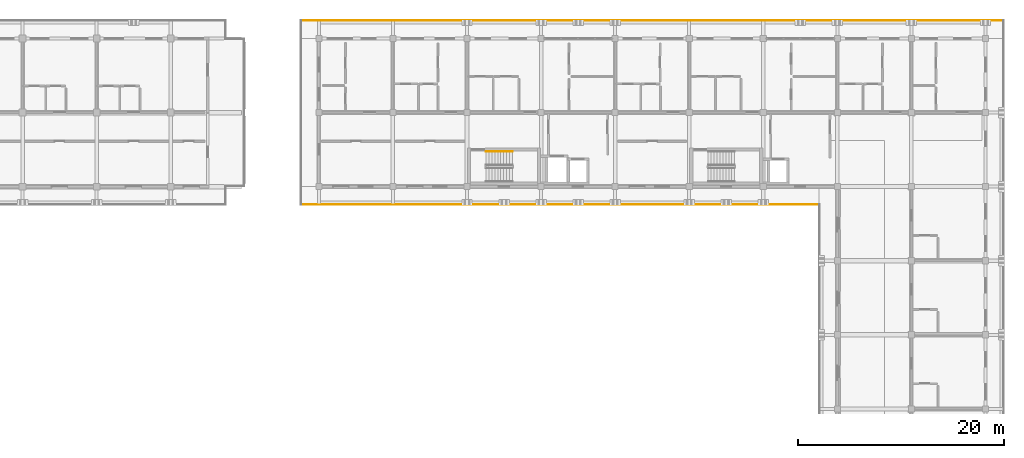
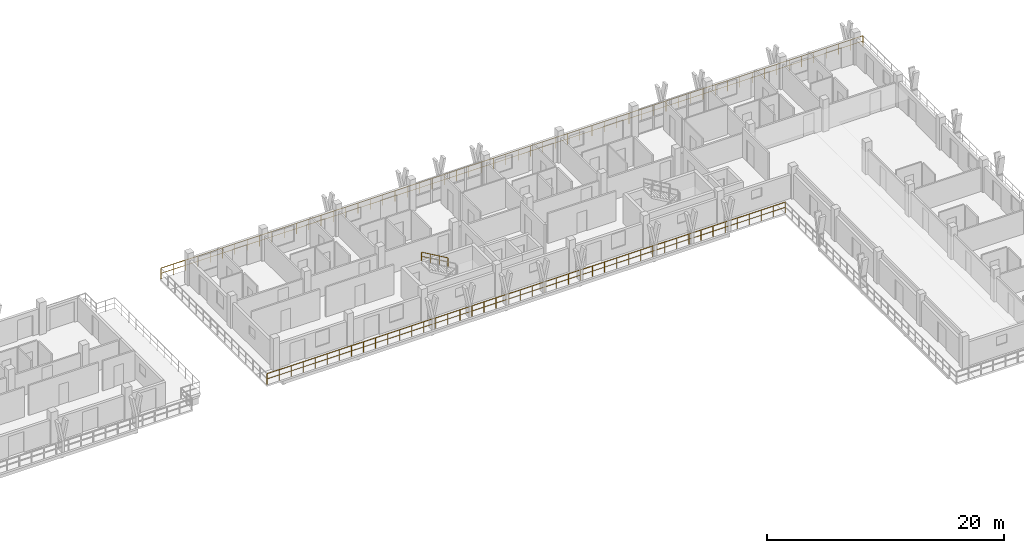
# One storey, part 74 of 75: 3 railings.
"""IFC4 building model written with IfcOpenShell, lengths in metres."""

from ifc_helpers import new_model, si_unit, direction, frame, origin, origin_2d, place, context, subcontext, project, spatial, rectangle, extrude, material, type_object, element, save


model = new_model("IFC4")

# Units and contexts
model_context = context("Model", 3, precision=1e-05, world=origin(), true_north=direction((0.0, 1.0)))
body_context = subcontext(model_context, "Body", "Model", "MODEL_VIEW")
ifc_project = project(units=[si_unit("LENGTHUNIT", "METRE"), si_unit("AREAUNIT", "SQUARE_METRE"), si_unit("VOLUMEUNIT", "CUBIC_METRE"), si_unit("PLANEANGLEUNIT", "RADIAN"), si_unit("MASSUNIT", "GRAM", prefix="KILO")], contexts=[model_context])

# Site, building, storey
site_placement = place(None, origin())
site = spatial("IfcSite", under=ifc_project, at=site_placement, CompositionType="ELEMENT")
building_placement = place(site_placement, origin())
building = spatial("IfcBuilding", under=site, at=building_placement, Name="Suanplinth Sawtooth Commons", CompositionType="ELEMENT")
storey_placement = place(building_placement, frame((0.0, 0.0, 18.60009765625)))
storey = spatial("IfcBuildingStorey", under=building, at=storey_placement, Name="L05", CompositionType="ELEMENT", Elevation=18.60009765625)

# Railings
ifc_material_1 = material(Name="Powder-coated galvanized steel", Category="steel")
railing_type_1 = type_object("IfcRailingType", Name="GR-01", PredefinedType="BALUSTRADE", material=ifc_material_1)
railing_1_placement = place(storey_placement, frame((171.06005859375, 106.260009765625, 0.0)))
element("IfcRailing", 1, at=railing_1_placement, inside=storey, type_object=railing_type_1, Name="L05 Block B Perimeter Balustrade 2", PredefinedType="BALUSTRADE", context=body_context, shape_type="SweptSolid", body=[
    extrude(rectangle(XDim=0.048095703125, YDim=0.048095703125, at=origin_2d()), frame((0.0, 0.0, 1.09619140625), z_axis=(-1.0, 0.0, 0.0), x_axis=(0.0, -1.0, 0.0)), (0.0, 0.0, 1.0), 50.400146484375),
    extrude(rectangle(XDim=0.03369140625, YDim=0.03369140625, at=origin_2d()), frame((0.0, 0.0, 0.56005859375), z_axis=(-1.0, 0.0, 0.0), x_axis=(0.0, -1.0, 0.0)), (0.0, 0.0, 1.0), 50.400146484375),
    extrude(rectangle(XDim=0.0419921875, YDim=0.0419921875, at=origin_2d()), origin(), (0.0, 0.0, 1.0), 1.072021484375),
    extrude(rectangle(XDim=0.0419921875, YDim=0.0419921875, at=origin_2d()), frame((-1.172119140625, 0.0, 0.0)), (0.0, 0.0, 1.0), 1.072021484375),
    extrude(rectangle(XDim=0.0419921875, YDim=0.0419921875, at=origin_2d()), frame((-2.34423828125, 0.0, 0.0)), (0.0, 0.0, 1.0), 1.072021484375),
    extrude(rectangle(XDim=0.0419921875, YDim=0.0419921875, at=origin_2d()), frame((-3.516357421875, 0.0, 0.0)), (0.0, 0.0, 1.0), 1.072021484375),
    extrude(rectangle(XDim=0.0419921875, YDim=0.0419921875, at=origin_2d()), frame((-4.6884765625, 0.0, 0.0)), (0.0, 0.0, 1.0), 1.072021484375),
    extrude(rectangle(XDim=0.0419921875, YDim=0.0419921875, at=origin_2d()), frame((-5.860595703125, 0.0, 0.0)), (0.0, 0.0, 1.0), 1.072021484375),
    extrude(rectangle(XDim=0.0419921875, YDim=0.0419921875, at=origin_2d()), frame((-7.032470703125, 0.0, 0.0)), (0.0, 0.0, 1.0), 1.072021484375),
    extrude(rectangle(XDim=0.0419921875, YDim=0.0419921875, at=origin_2d()), frame((-8.20458984375, 0.0, 0.0)), (0.0, 0.0, 1.0), 1.072021484375),
    extrude(rectangle(XDim=0.0419921875, YDim=0.0419921875, at=origin_2d()), frame((-9.376708984375, 0.0, 0.0)), (0.0, 0.0, 1.0), 1.072021484375),
    extrude(rectangle(XDim=0.0419921875, YDim=0.0419921875, at=origin_2d()), frame((-10.548828125, 0.0, 0.0)), (0.0, 0.0, 1.0), 1.072021484375),
    extrude(rectangle(XDim=0.0419921875, YDim=0.0419921875, at=origin_2d()), frame((-11.720947265625, 0.0, 0.0)), (0.0, 0.0, 1.0), 1.072021484375),
    extrude(rectangle(XDim=0.0419921875, YDim=0.0419921875, at=origin_2d()), frame((-12.89306640625, 0.0, 0.0)), (0.0, 0.0, 1.0), 1.072021484375),
    extrude(rectangle(XDim=0.0419921875, YDim=0.0419921875, at=origin_2d()), frame((-14.065185546875, 0.0, 0.0)), (0.0, 0.0, 1.0), 1.072021484375),
    extrude(rectangle(XDim=0.0419921875, YDim=0.0419921875, at=origin_2d()), frame((-15.2373046875, 0.0, 0.0)), (0.0, 0.0, 1.0), 1.072021484375),
    extrude(rectangle(XDim=0.0419921875, YDim=0.0419921875, at=origin_2d()), frame((-16.409423828125, 0.0, 0.0)), (0.0, 0.0, 1.0), 1.072021484375),
    extrude(rectangle(XDim=0.0419921875, YDim=0.0419921875, at=origin_2d()), frame((-17.58154296875, 0.0, 0.0)), (0.0, 0.0, 1.0), 1.072021484375),
    extrude(rectangle(XDim=0.0419921875, YDim=0.0419921875, at=origin_2d()), frame((-18.753662109375, 0.0, 0.0)), (0.0, 0.0, 1.0), 1.072021484375),
    extrude(rectangle(XDim=0.0419921875, YDim=0.0419921875, at=origin_2d()), frame((-19.925537109375, 0.0, 0.0)), (0.0, 0.0, 1.0), 1.072021484375),
    extrude(rectangle(XDim=0.0419921875, YDim=0.0419921875, at=origin_2d()), frame((-21.09765625, 0.0, 0.0)), (0.0, 0.0, 1.0), 1.072021484375),
    extrude(rectangle(XDim=0.0419921875, YDim=0.0419921875, at=origin_2d()), frame((-22.269775390625, 0.0, 0.0)), (0.0, 0.0, 1.0), 1.072021484375),
    extrude(rectangle(XDim=0.0419921875, YDim=0.0419921875, at=origin_2d()), frame((-23.44189453125, 0.0, 0.0)), (0.0, 0.0, 1.0), 1.072021484375),
    extrude(rectangle(XDim=0.0419921875, YDim=0.0419921875, at=origin_2d()), frame((-24.614013671875, 0.0, 0.0)), (0.0, 0.0, 1.0), 1.072021484375),
    extrude(rectangle(XDim=0.0419921875, YDim=0.0419921875, at=origin_2d()), frame((-25.7861328125, 0.0, 0.0)), (0.0, 0.0, 1.0), 1.072021484375),
    extrude(rectangle(XDim=0.0419921875, YDim=0.0419921875, at=origin_2d()), frame((-26.958251953125, 0.0, 0.0)), (0.0, 0.0, 1.0), 1.072021484375),
    extrude(rectangle(XDim=0.0419921875, YDim=0.0419921875, at=origin_2d()), frame((-28.13037109375, 0.0, 0.0)), (0.0, 0.0, 1.0), 1.072021484375),
    extrude(rectangle(XDim=0.0419921875, YDim=0.0419921875, at=origin_2d()), frame((-29.302490234375, 0.0, 0.0)), (0.0, 0.0, 1.0), 1.072021484375),
    extrude(rectangle(XDim=0.0419921875, YDim=0.0419921875, at=origin_2d()), frame((-30.474609375, 0.0, 0.0)), (0.0, 0.0, 1.0), 1.072021484375),
    extrude(rectangle(XDim=0.0419921875, YDim=0.0419921875, at=origin_2d()), frame((-31.646484375, 0.0, 0.0)), (0.0, 0.0, 1.0), 1.072021484375),
    extrude(rectangle(XDim=0.0419921875, YDim=0.0419921875, at=origin_2d()), frame((-32.818603515625, 0.0, 0.0)), (0.0, 0.0, 1.0), 1.072021484375),
    extrude(rectangle(XDim=0.0419921875, YDim=0.0419921875, at=origin_2d()), frame((-33.99072265625, 0.0, 0.0)), (0.0, 0.0, 1.0), 1.072021484375),
    extrude(rectangle(XDim=0.0419921875, YDim=0.0419921875, at=origin_2d()), frame((-35.162841796875, 0.0, 0.0)), (0.0, 0.0, 1.0), 1.072021484375),
    extrude(rectangle(XDim=0.0419921875, YDim=0.0419921875, at=origin_2d()), frame((-36.3349609375, 0.0, 0.0)), (0.0, 0.0, 1.0), 1.072021484375),
    extrude(rectangle(XDim=0.0419921875, YDim=0.0419921875, at=origin_2d()), frame((-37.507080078125, 0.0, 0.0)), (0.0, 0.0, 1.0), 1.072021484375),
    extrude(rectangle(XDim=0.0419921875, YDim=0.0419921875, at=origin_2d()), frame((-38.67919921875, 0.0, 0.0)), (0.0, 0.0, 1.0), 1.072021484375),
    extrude(rectangle(XDim=0.0419921875, YDim=0.0419921875, at=origin_2d()), frame((-39.851318359375, 0.0, 0.0)), (0.0, 0.0, 1.0), 1.072021484375),
    extrude(rectangle(XDim=0.0419921875, YDim=0.0419921875, at=origin_2d()), frame((-41.0234375, 0.0, 0.0)), (0.0, 0.0, 1.0), 1.072021484375),
    extrude(rectangle(XDim=0.0419921875, YDim=0.0419921875, at=origin_2d()), frame((-42.195556640625, 0.0, 0.0)), (0.0, 0.0, 1.0), 1.072021484375),
    extrude(rectangle(XDim=0.0419921875, YDim=0.0419921875, at=origin_2d()), frame((-43.36767578125, 0.0, 0.0)), (0.0, 0.0, 1.0), 1.072021484375),
    extrude(rectangle(XDim=0.0419921875, YDim=0.0419921875, at=origin_2d()), frame((-44.53955078125, 0.0, 0.0)), (0.0, 0.0, 1.0), 1.072021484375),
    extrude(rectangle(XDim=0.0419921875, YDim=0.0419921875, at=origin_2d()), frame((-45.711669921875, 0.0, 0.0)), (0.0, 0.0, 1.0), 1.072021484375),
    extrude(rectangle(XDim=0.0419921875, YDim=0.0419921875, at=origin_2d()), frame((-46.8837890625, 0.0, 0.0)), (0.0, 0.0, 1.0), 1.072021484375),
    extrude(rectangle(XDim=0.0419921875, YDim=0.0419921875, at=origin_2d()), frame((-48.055908203125, 0.0, 0.0)), (0.0, 0.0, 1.0), 1.072021484375),
    extrude(rectangle(XDim=0.0419921875, YDim=0.0419921875, at=origin_2d()), frame((-49.22802734375, 0.0, 0.0)), (0.0, 0.0, 1.0), 1.072021484375),
    extrude(rectangle(XDim=0.0419921875, YDim=0.0419921875, at=origin_2d()), frame((-50.400146484375, 0.0, 0.0)), (0.0, 0.0, 1.0), 1.072021484375),
])
railing_2_placement = place(storey_placement, frame((120.659912109375, 124.139892578125, 0.0)))
element("IfcRailing", 2, at=railing_2_placement, inside=storey, type_object=railing_type_1, Name="L05 Block B Perimeter Balustrade 4", PredefinedType="BALUSTRADE", context=body_context, shape_type="SweptSolid", body=[
    extrude(rectangle(XDim=0.048095703125, YDim=0.048095703125, at=origin_2d()), frame((0.0, 0.0, 1.09619140625), z_axis=(1.0, 0.0, 0.0), x_axis=(0.0, 1.0, 0.0)), (0.0, 0.0, 1.0), 68.280029296875),
    extrude(rectangle(XDim=0.03369140625, YDim=0.03369140625, at=origin_2d()), frame((0.0, 0.0, 0.56005859375), z_axis=(1.0, 0.0, 0.0), x_axis=(0.0, 1.0, 0.0)), (0.0, 0.0, 1.0), 68.280029296875),
    extrude(rectangle(XDim=0.0419921875, YDim=0.0419921875, at=origin_2d()), origin(), (0.0, 0.0, 1.0), 1.072021484375),
    extrude(rectangle(XDim=0.0419921875, YDim=0.0419921875, at=origin_2d()), frame((1.197998046875, 0.0, 0.0)), (0.0, 0.0, 1.0), 1.072021484375),
    extrude(rectangle(XDim=0.0419921875, YDim=0.0419921875, at=origin_2d()), frame((2.395751953125, 0.0, 0.0)), (0.0, 0.0, 1.0), 1.072021484375),
    extrude(rectangle(XDim=0.0419921875, YDim=0.0419921875, at=origin_2d()), frame((3.59375, 0.0, 0.0)), (0.0, 0.0, 1.0), 1.072021484375),
    extrude(rectangle(XDim=0.0419921875, YDim=0.0419921875, at=origin_2d()), frame((4.79150390625, 0.0, 0.0)), (0.0, 0.0, 1.0), 1.072021484375),
    extrude(rectangle(XDim=0.0419921875, YDim=0.0419921875, at=origin_2d()), frame((5.989501953125, 0.0, 0.0)), (0.0, 0.0, 1.0), 1.072021484375),
    extrude(rectangle(XDim=0.0419921875, YDim=0.0419921875, at=origin_2d()), frame((7.187255859375, 0.0, 0.0)), (0.0, 0.0, 1.0), 1.072021484375),
    extrude(rectangle(XDim=0.0419921875, YDim=0.0419921875, at=origin_2d()), frame((8.38525390625, 0.0, 0.0)), (0.0, 0.0, 1.0), 1.072021484375),
    extrude(rectangle(XDim=0.0419921875, YDim=0.0419921875, at=origin_2d()), frame((9.583251953125, 0.0, 0.0)), (0.0, 0.0, 1.0), 1.072021484375),
    extrude(rectangle(XDim=0.0419921875, YDim=0.0419921875, at=origin_2d()), frame((10.781005859375, 0.0, 0.0)), (0.0, 0.0, 1.0), 1.072021484375),
    extrude(rectangle(XDim=0.0419921875, YDim=0.0419921875, at=origin_2d()), frame((11.97900390625, 0.0, 0.0)), (0.0, 0.0, 1.0), 1.072021484375),
    extrude(rectangle(XDim=0.0419921875, YDim=0.0419921875, at=origin_2d()), frame((13.1767578125, 0.0, 0.0)), (0.0, 0.0, 1.0), 1.072021484375),
    extrude(rectangle(XDim=0.0419921875, YDim=0.0419921875, at=origin_2d()), frame((14.374755859375, 0.0, 0.0)), (0.0, 0.0, 1.0), 1.072021484375),
    extrude(rectangle(XDim=0.0419921875, YDim=0.0419921875, at=origin_2d()), frame((15.57275390625, 0.0, 0.0)), (0.0, 0.0, 1.0), 1.072021484375),
    extrude(rectangle(XDim=0.0419921875, YDim=0.0419921875, at=origin_2d()), frame((16.7705078125, 0.0, 0.0)), (0.0, 0.0, 1.0), 1.072021484375),
    extrude(rectangle(XDim=0.0419921875, YDim=0.0419921875, at=origin_2d()), frame((17.968505859375, 0.0, 0.0)), (0.0, 0.0, 1.0), 1.072021484375),
    extrude(rectangle(XDim=0.0419921875, YDim=0.0419921875, at=origin_2d()), frame((19.166259765625, 0.0, 0.0)), (0.0, 0.0, 1.0), 1.072021484375),
    extrude(rectangle(XDim=0.0419921875, YDim=0.0419921875, at=origin_2d()), frame((20.3642578125, 0.0, 0.0)), (0.0, 0.0, 1.0), 1.072021484375),
    extrude(rectangle(XDim=0.0419921875, YDim=0.0419921875, at=origin_2d()), frame((21.56201171875, 0.0, 0.0)), (0.0, 0.0, 1.0), 1.072021484375),
    extrude(rectangle(XDim=0.0419921875, YDim=0.0419921875, at=origin_2d()), frame((22.760009765625, 0.0, 0.0)), (0.0, 0.0, 1.0), 1.072021484375),
    extrude(rectangle(XDim=0.0419921875, YDim=0.0419921875, at=origin_2d()), frame((23.9580078125, 0.0, 0.0)), (0.0, 0.0, 1.0), 1.072021484375),
    extrude(rectangle(XDim=0.0419921875, YDim=0.0419921875, at=origin_2d()), frame((25.15576171875, 0.0, 0.0)), (0.0, 0.0, 1.0), 1.072021484375),
    extrude(rectangle(XDim=0.0419921875, YDim=0.0419921875, at=origin_2d()), frame((26.353759765625, 0.0, 0.0)), (0.0, 0.0, 1.0), 1.072021484375),
    extrude(rectangle(XDim=0.0419921875, YDim=0.0419921875, at=origin_2d()), frame((27.551513671875, 0.0, 0.0)), (0.0, 0.0, 1.0), 1.072021484375),
    extrude(rectangle(XDim=0.0419921875, YDim=0.0419921875, at=origin_2d()), frame((28.74951171875, 0.0, 0.0)), (0.0, 0.0, 1.0), 1.072021484375),
    extrude(rectangle(XDim=0.0419921875, YDim=0.0419921875, at=origin_2d()), frame((29.947265625, 0.0, 0.0)), (0.0, 0.0, 1.0), 1.072021484375),
    extrude(rectangle(XDim=0.0419921875, YDim=0.0419921875, at=origin_2d()), frame((31.145263671875, 0.0, 0.0)), (0.0, 0.0, 1.0), 1.072021484375),
    extrude(rectangle(XDim=0.0419921875, YDim=0.0419921875, at=origin_2d()), frame((32.34326171875, 0.0, 0.0)), (0.0, 0.0, 1.0), 1.072021484375),
    extrude(rectangle(XDim=0.0419921875, YDim=0.0419921875, at=origin_2d()), frame((33.541015625, 0.0, 0.0)), (0.0, 0.0, 1.0), 1.072021484375),
    extrude(rectangle(XDim=0.0419921875, YDim=0.0419921875, at=origin_2d()), frame((34.739013671875, 0.0, 0.0)), (0.0, 0.0, 1.0), 1.072021484375),
    extrude(rectangle(XDim=0.0419921875, YDim=0.0419921875, at=origin_2d()), frame((35.936767578125, 0.0, 0.0)), (0.0, 0.0, 1.0), 1.072021484375),
    extrude(rectangle(XDim=0.0419921875, YDim=0.0419921875, at=origin_2d()), frame((37.134765625, 0.0, 0.0)), (0.0, 0.0, 1.0), 1.072021484375),
    extrude(rectangle(XDim=0.0419921875, YDim=0.0419921875, at=origin_2d()), frame((38.332763671875, 0.0, 0.0)), (0.0, 0.0, 1.0), 1.072021484375),
    extrude(rectangle(XDim=0.0419921875, YDim=0.0419921875, at=origin_2d()), frame((39.530517578125, 0.0, 0.0)), (0.0, 0.0, 1.0), 1.072021484375),
    extrude(rectangle(XDim=0.0419921875, YDim=0.0419921875, at=origin_2d()), frame((40.728515625, 0.0, 0.0)), (0.0, 0.0, 1.0), 1.072021484375),
    extrude(rectangle(XDim=0.0419921875, YDim=0.0419921875, at=origin_2d()), frame((41.92626953125, 0.0, 0.0)), (0.0, 0.0, 1.0), 1.072021484375),
    extrude(rectangle(XDim=0.0419921875, YDim=0.0419921875, at=origin_2d()), frame((43.124267578125, 0.0, 0.0)), (0.0, 0.0, 1.0), 1.072021484375),
    extrude(rectangle(XDim=0.0419921875, YDim=0.0419921875, at=origin_2d()), frame((44.322021484375, 0.0, 0.0)), (0.0, 0.0, 1.0), 1.072021484375),
    extrude(rectangle(XDim=0.0419921875, YDim=0.0419921875, at=origin_2d()), frame((45.52001953125, 0.0, 0.0)), (0.0, 0.0, 1.0), 1.072021484375),
    extrude(rectangle(XDim=0.0419921875, YDim=0.0419921875, at=origin_2d()), frame((46.718017578125, 0.0, 0.0)), (0.0, 0.0, 1.0), 1.072021484375),
    extrude(rectangle(XDim=0.0419921875, YDim=0.0419921875, at=origin_2d()), frame((47.915771484375, 0.0, 0.0)), (0.0, 0.0, 1.0), 1.072021484375),
    extrude(rectangle(XDim=0.0419921875, YDim=0.0419921875, at=origin_2d()), frame((49.11376953125, 0.0, 0.0)), (0.0, 0.0, 1.0), 1.072021484375),
    extrude(rectangle(XDim=0.0419921875, YDim=0.0419921875, at=origin_2d()), frame((50.3115234375, 0.0, 0.0)), (0.0, 0.0, 1.0), 1.072021484375),
    extrude(rectangle(XDim=0.0419921875, YDim=0.0419921875, at=origin_2d()), frame((51.509521484375, 0.0, 0.0)), (0.0, 0.0, 1.0), 1.072021484375),
    extrude(rectangle(XDim=0.0419921875, YDim=0.0419921875, at=origin_2d()), frame((52.707275390625, 0.0, 0.0)), (0.0, 0.0, 1.0), 1.072021484375),
    extrude(rectangle(XDim=0.0419921875, YDim=0.0419921875, at=origin_2d()), frame((53.9052734375, 0.0, 0.0)), (0.0, 0.0, 1.0), 1.072021484375),
    extrude(rectangle(XDim=0.0419921875, YDim=0.0419921875, at=origin_2d()), frame((55.103271484375, 0.0, 0.0)), (0.0, 0.0, 1.0), 1.072021484375),
    extrude(rectangle(XDim=0.0419921875, YDim=0.0419921875, at=origin_2d()), frame((56.301025390625, 0.0, 0.0)), (0.0, 0.0, 1.0), 1.072021484375),
    extrude(rectangle(XDim=0.0419921875, YDim=0.0419921875, at=origin_2d()), frame((57.4990234375, 0.0, 0.0)), (0.0, 0.0, 1.0), 1.072021484375),
    extrude(rectangle(XDim=0.0419921875, YDim=0.0419921875, at=origin_2d()), frame((58.69677734375, 0.0, 0.0)), (0.0, 0.0, 1.0), 1.072021484375),
    extrude(rectangle(XDim=0.0419921875, YDim=0.0419921875, at=origin_2d()), frame((59.894775390625, 0.0, 0.0)), (0.0, 0.0, 1.0), 1.072021484375),
    extrude(rectangle(XDim=0.0419921875, YDim=0.0419921875, at=origin_2d()), frame((61.0927734375, 0.0, 0.0)), (0.0, 0.0, 1.0), 1.072021484375),
    extrude(rectangle(XDim=0.0419921875, YDim=0.0419921875, at=origin_2d()), frame((62.29052734375, 0.0, 0.0)), (0.0, 0.0, 1.0), 1.072021484375),
    extrude(rectangle(XDim=0.0419921875, YDim=0.0419921875, at=origin_2d()), frame((63.488525390625, 0.0, 0.0)), (0.0, 0.0, 1.0), 1.072021484375),
    extrude(rectangle(XDim=0.0419921875, YDim=0.0419921875, at=origin_2d()), frame((64.686279296875, 0.0, 0.0)), (0.0, 0.0, 1.0), 1.072021484375),
    extrude(rectangle(XDim=0.0419921875, YDim=0.0419921875, at=origin_2d()), frame((65.88427734375, 0.0, 0.0)), (0.0, 0.0, 1.0), 1.072021484375),
    extrude(rectangle(XDim=0.0419921875, YDim=0.0419921875, at=origin_2d()), frame((67.08203125, 0.0, 0.0)), (0.0, 0.0, 1.0), 1.072021484375),
    extrude(rectangle(XDim=0.0419921875, YDim=0.0419921875, at=origin_2d()), frame((68.280029296875, 0.0, 0.0)), (0.0, 0.0, 1.0), 1.072021484375),
])
ifc_material_2 = material(Name="Stainless steel Grade 304", Category="steel")
railing_type_2 = type_object("IfcRailingType", Name="HR-01", PredefinedType="HANDRAIL", material=ifc_material_2)
railing_3_placement = place(storey_placement, frame((141.215087890625, 111.39990234375, 1.81494140625)))
element("IfcRailing", 3, at=railing_3_placement, inside=storey, type_object=railing_type_2, Name="L05 ST-E1 Handrail 2", PredefinedType="HANDRAIL", context=body_context, shape_type="SweptSolid", body=[
    extrude(rectangle(XDim=0.048095703125, YDim=0.048095703125, at=origin_2d()), frame((0.0, 0.0, 0.8759765625), z_axis=(-0.865461999751, 0.0, 0.500974577186), x_axis=(0.0, -1.0, 0.0)), (0.0, 0.0, 1.0), 2.9638671875),
    extrude(rectangle(XDim=0.03369140625, YDim=0.03369140625, at=origin_2d()), frame((0.0, 0.0, 0.449951171875), z_axis=(-0.865461999751, 0.0, 0.500974577186), x_axis=(0.0, -1.0, 0.0)), (0.0, 0.0, 1.0), 2.9638671875),
    extrude(rectangle(XDim=0.0419921875, YDim=0.0419921875, at=origin_2d()), origin(), (0.0, 0.0, 1.0), 0.851806640625),
    extrude(rectangle(XDim=0.0419921875, YDim=0.0419921875, at=origin_2d()), frame((-0.85498046875, 0.0, 0.494873046875)), (0.0, 0.0, 1.0), 0.851806640625),
    extrude(rectangle(XDim=0.0419921875, YDim=0.0419921875, at=origin_2d()), frame((-1.710205078125, 0.0, 0.989990234375)), (0.0, 0.0, 1.0), 0.851806640625),
    extrude(rectangle(XDim=0.0419921875, YDim=0.0419921875, at=origin_2d()), frame((-2.565185546875, 0.0, 1.48486328125)), (0.0, 0.0, 1.0), 0.851806640625),
])

save(model, "model.ifc")
